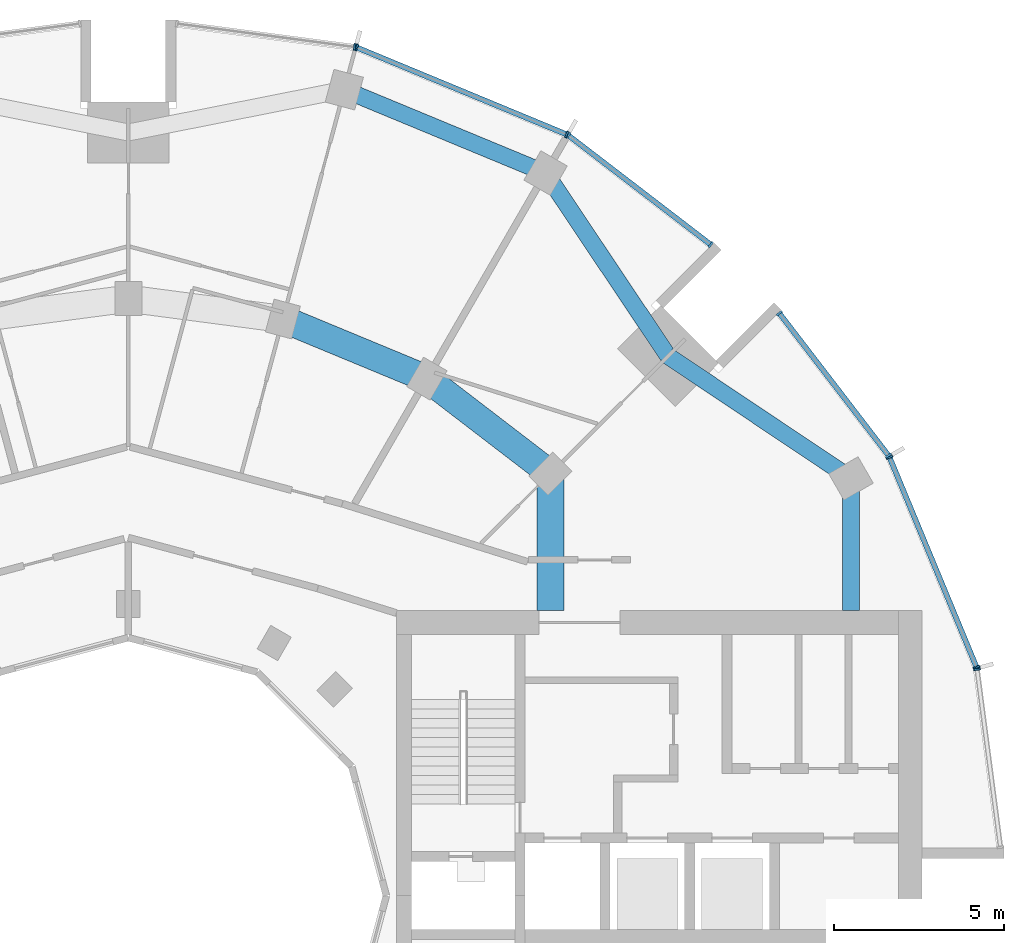
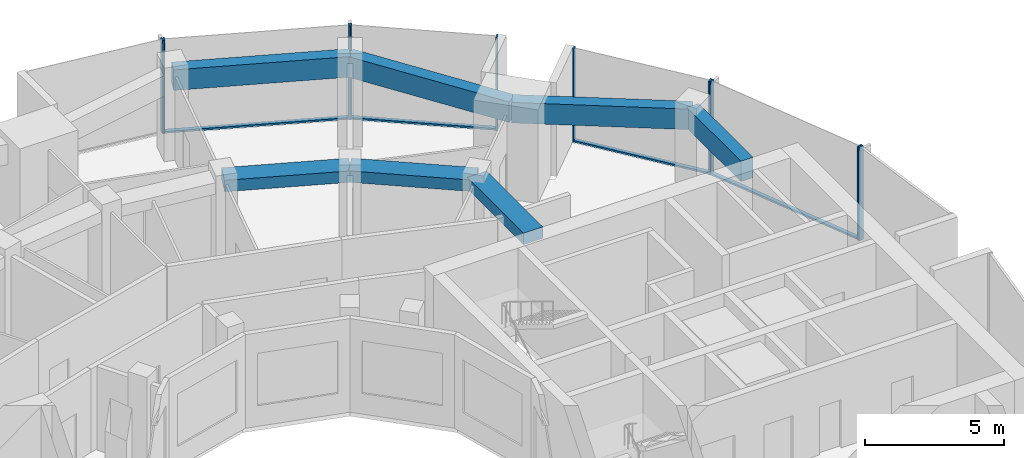
# One storey, part 6 of 15: 14 members, 7 beams, 6 elements without a shape of their own.
"""IFC4 building model written with IfcOpenShell, lengths in metres."""

from ifc_helpers import new_model, si_unit, direction, frame, origin, origin_2d, place, context, subcontext, project, spatial, rectangle, extrude, material, layer, layer_set, material_profile, profile_set, type_object, element, aggregate, save


model = new_model("IFC4")

# Units and contexts
model_context = context("Model", 3, precision=1e-05, world=origin(), true_north=direction((0.0, 1.0)))
body_context = subcontext(model_context, "Body", "Model", "MODEL_VIEW")
ifc_project = project(units=[si_unit("LENGTHUNIT", "METRE"), si_unit("AREAUNIT", "SQUARE_METRE"), si_unit("VOLUMEUNIT", "CUBIC_METRE"), si_unit("PLANEANGLEUNIT", "RADIAN"), si_unit("MASSUNIT", "GRAM", prefix="KILO")], contexts=[model_context])

# Site, building, storey
site_placement = place(None, origin())
site = spatial("IfcSite", under=ifc_project, at=site_placement, CompositionType="ELEMENT")
building_placement = place(site_placement, origin())
building = spatial("IfcBuilding", under=site, at=building_placement, Name="Torre Brocal", CompositionType="ELEMENT")
storey_placement = place(building_placement, frame((0.0, 0.0, 194.60009765625)))
storey = spatial("IfcBuildingStorey", under=building, at=storey_placement, Name="L45", CompositionType="ELEMENT", Elevation=194.60009765625)

# Curtain wall, members
ifc_material_1 = material(Name="Aluminium and glass", Category="aluminium")
ifc_layer_1 = layer(ifc_material_1, 0.199951171875)
ifc_layer_set_1 = layer_set([ifc_layer_1], Name="Aluminium and glass")
curtain_wall_type_1 = type_object("IfcCurtainWallType", Name="CW-1 CURTAIN WALL 4100 HIGH", PredefinedType="NOTDEFINED", material=ifc_layer_set_1)
curtain_wall_1_placement = place(storey_placement, origin())
curtain_wall_1 = element("IfcCurtainWall", 1, at=curtain_wall_1_placement, inside=storey, type_object=curtain_wall_type_1, Name="CW-1 RUN 2", PredefinedType="NOTDEFINED")
ifc_material_2 = material(Name="Aluminium, dark anodised", Category="aluminium")
ifc_material_profile_1 = material_profile(ifc_material_2, rectangle(XDim=0.199951171875, YDim=0.06005859375, at=origin_2d()), Name="CW-1 MULLION 60X200")
ifc_profile_set_1 = profile_set([ifc_material_profile_1], Name="Aluminium, dark anodised")
member_type_1 = type_object("IfcMemberType", Name="CW-1 MULLION 60X200", PredefinedType="MULLION", material=ifc_profile_set_1)
member_1_placement = place(storey_placement, frame((105.005126953125, 81.73095703125, 0.0), z_axis=(0.0, 0.0, 1.0), x_axis=(-0.923879532525, -0.382683432333, 0.0)))
member_1 = element("IfcMember", 2, at=member_1_placement, type_object=member_type_1, Name="CW1-4 mullion 1", PredefinedType="MULLION", context=body_context, shape_type="SweptSolid", body=[
    extrude(rectangle(XDim=0.199951171875, YDim=0.06005859375, at=origin_2d()), origin(), (0.0, 0.0, 1.0), 4.099853515625),
])
member_2_placement = place(storey_placement, frame((102.440673828125, 87.921875, 0.0), z_axis=(0.0, 0.0, 1.0), x_axis=(-0.923879532525, -0.382683432333, 0.0)))
member_2 = element("IfcMember", 3, at=member_2_placement, type_object=member_type_1, Name="CW1-4 mullion 2", PredefinedType="MULLION", context=body_context, shape_type="SweptSolid", body=[
    extrude(rectangle(XDim=0.199951171875, YDim=0.06005859375, at=origin_2d()), origin(), (0.0, 0.0, 1.0), 4.099853515625),
])

curtain_wall_2_placement = place(storey_placement, origin())
curtain_wall_2 = element("IfcCurtainWall", 4, at=curtain_wall_2_placement, inside=storey, type_object=curtain_wall_type_1, Name="CW-1 RUN 3", PredefinedType="NOTDEFINED")
member_3_placement = place(storey_placement, frame((102.4111328125, 87.973388671875, 0.0), z_axis=(0.0, 0.0, 1.0), x_axis=(-0.793353340259, -0.60876142905, 0.0)))
member_3 = element("IfcMember", 5, at=member_3_placement, type_object=member_type_1, Name="CW1-4 mullion 1", PredefinedType="MULLION", context=body_context, shape_type="SweptSolid", body=[
    extrude(rectangle(XDim=0.199951171875, YDim=0.06005859375, at=origin_2d()), origin(), (0.0, 0.0, 1.0), 4.099853515625),
])
member_4_placement = place(storey_placement, frame((99.19140625, 92.16943359375, 0.0), z_axis=(0.0, 0.0, 1.0), x_axis=(-0.793353340259, -0.60876142905, 0.0)))
member_4 = element("IfcMember", 6, at=member_4_placement, type_object=member_type_1, Name="CW1-4 mullion 2", PredefinedType="MULLION", context=body_context, shape_type="SweptSolid", body=[
    extrude(rectangle(XDim=0.199951171875, YDim=0.06005859375, at=origin_2d()), origin(), (0.0, 0.0, 1.0), 4.099853515625),
])

curtain_wall_3_placement = place(storey_placement, origin())
curtain_wall_3 = element("IfcCurtainWall", 7, at=curtain_wall_3_placement, inside=storey, type_object=curtain_wall_type_1, Name="CW-1 RUN 4", PredefinedType="NOTDEFINED")
member_5_placement = place(storey_placement, frame((97.16943359375, 94.19140625, 0.0), z_axis=(0.0, 0.0, 1.0), x_axis=(-0.60876142905, -0.793353340259, 0.0)))
member_5 = element("IfcMember", 8, at=member_5_placement, type_object=member_type_1, Name="CW1-4 mullion 1", PredefinedType="MULLION", context=body_context, shape_type="SweptSolid", body=[
    extrude(rectangle(XDim=0.199951171875, YDim=0.06005859375, at=origin_2d()), origin(), (0.0, 0.0, 1.0), 4.099853515625),
])
member_6_placement = place(storey_placement, frame((92.973388671875, 97.4111328125, 0.0), z_axis=(0.0, 0.0, 1.0), x_axis=(-0.60876142905, -0.793353340259, 0.0)))
member_6 = element("IfcMember", 9, at=member_6_placement, type_object=member_type_1, Name="CW1-4 mullion 2", PredefinedType="MULLION", context=body_context, shape_type="SweptSolid", body=[
    extrude(rectangle(XDim=0.199951171875, YDim=0.06005859375, at=origin_2d()), origin(), (0.0, 0.0, 1.0), 4.099853515625),
])

curtain_wall_4_placement = place(storey_placement, origin())
curtain_wall_4 = element("IfcCurtainWall", 10, at=curtain_wall_4_placement, inside=storey, type_object=curtain_wall_type_1, Name="CW-1 RUN 5", PredefinedType="NOTDEFINED")
member_7_placement = place(storey_placement, frame((92.921875, 97.440673828125, 0.0), z_axis=(0.0, 0.0, 1.0), x_axis=(-0.382683432333, -0.923879532525, 0.0)))
member_7 = element("IfcMember", 11, at=member_7_placement, type_object=member_type_1, Name="CW1-4 mullion 1", PredefinedType="MULLION", context=body_context, shape_type="SweptSolid", body=[
    extrude(rectangle(XDim=0.199951171875, YDim=0.06005859375, at=origin_2d()), origin(), (0.0, 0.0, 1.0), 4.099853515625),
])
member_8_placement = place(storey_placement, frame((86.73095703125, 100.005126953125, 0.0), z_axis=(0.0, 0.0, 1.0), x_axis=(-0.382683432333, -0.923879532525, 0.0)))
member_8 = element("IfcMember", 12, at=member_8_placement, type_object=member_type_1, Name="CW1-4 mullion 2", PredefinedType="MULLION", context=body_context, shape_type="SweptSolid", body=[
    extrude(rectangle(XDim=0.199951171875, YDim=0.06005859375, at=origin_2d()), origin(), (0.0, 0.0, 1.0), 4.099853515625),
])

# Curtain wall, member
curtain_wall_5_placement = place(storey_placement, origin())
curtain_wall_5 = element("IfcCurtainWall", 13, at=curtain_wall_5_placement, inside=storey, type_object=curtain_wall_type_1, Name="CW-1 RUN 6", PredefinedType="NOTDEFINED")
member_9_placement = place(storey_placement, frame((86.67333984375, 100.0205078125, 0.0), z_axis=(0.0, 0.0, 1.0), x_axis=(-0.13052619222, -0.991444861374, 0.0)))
member_9 = element("IfcMember", 14, at=member_9_placement, type_object=member_type_1, Name="CW1-4 mullion 1", PredefinedType="MULLION", context=body_context, shape_type="SweptSolid", body=[
    extrude(rectangle(XDim=0.199951171875, YDim=0.06005859375, at=origin_2d()), origin(), (0.0, 0.0, 1.0), 4.099853515625),
])
aggregate(curtain_wall_5, [member_9])

# Member
ifc_material_3 = material(Name="Aluminium, dark anodised", Category="aluminium")
ifc_material_profile_2 = material_profile(ifc_material_3, rectangle(XDim=0.159912109375, YDim=0.080078125, at=origin_2d()), Name="CW-1 TRANSOM 160X80")
ifc_profile_set_2 = profile_set([ifc_material_profile_2], Name="Aluminium, dark anodised")
member_type_2 = type_object("IfcMemberType", Name="CW-1 TRANSOM 160X80", PredefinedType="USERDEFINED", material=ifc_profile_set_2)
member_10_placement = place(storey_placement, frame((104.99365234375, 81.758544921875, 0.039794921875), z_axis=(-0.38266457234, 0.923887344364, 0.0), x_axis=(-0.923887344364, -0.38266457234, 0.0)))
member_10 = element("IfcMember", 15, at=member_10_placement, type_object=member_type_2, Name="CW1-4 transom 1.1", ObjectType="TRANSOM", PredefinedType="USERDEFINED", context=body_context, shape_type="SweptSolid", body=[
    extrude(rectangle(XDim=0.159912109375, YDim=0.080078125, at=origin_2d()), origin(), (0.0, 0.0, 1.0), 6.640869140625),
])

aggregate(curtain_wall_1, [member_1, member_2, member_10])

member_11_placement = place(storey_placement, frame((102.392822265625, 87.9970703125, 0.039794921875), z_axis=(-0.60874908096, 0.79336281513, 0.0), x_axis=(-0.79336281513, -0.60874908096, 0.0)))
member_11 = element("IfcMember", 16, at=member_11_placement, type_object=member_type_2, Name="CW1-4 transom 1.1", ObjectType="TRANSOM", PredefinedType="USERDEFINED", context=body_context, shape_type="SweptSolid", body=[
    extrude(rectangle(XDim=0.159912109375, YDim=0.080078125, at=origin_2d()), origin(), (0.0, 0.0, 1.0), 5.22900390625),
])

aggregate(curtain_wall_2, [member_3, member_4, member_11])

member_12_placement = place(storey_placement, frame((97.1455078125, 94.209716796875, 0.039794921875), z_axis=(-0.79336281513, 0.60874908096, 0.0), x_axis=(-0.60874908096, -0.79336281513, 0.0)))
member_12 = element("IfcMember", 17, at=member_12_placement, type_object=member_type_2, Name="CW1-4 transom 1.1", ObjectType="TRANSOM", PredefinedType="USERDEFINED", context=body_context, shape_type="SweptSolid", body=[
    extrude(rectangle(XDim=0.159912109375, YDim=0.080078125, at=origin_2d()), origin(), (0.0, 0.0, 1.0), 5.22900390625),
])

aggregate(curtain_wall_3, [member_5, member_6, member_12])

member_13_placement = place(storey_placement, frame((92.89404296875, 97.452392578125, 0.039794921875), z_axis=(-0.923887344364, 0.38266457234, 0.0), x_axis=(-0.38266457234, -0.923887344364, 0.0)))
member_13 = element("IfcMember", 18, at=member_13_placement, type_object=member_type_2, Name="CW1-4 transom 1.1", ObjectType="TRANSOM", PredefinedType="USERDEFINED", context=body_context, shape_type="SweptSolid", body=[
    extrude(rectangle(XDim=0.159912109375, YDim=0.080078125, at=origin_2d()), origin(), (0.0, 0.0, 1.0), 6.640869140625),
])

aggregate(curtain_wall_4, [member_7, member_8, member_13])

# Curtain wall, member
ifc_material_4 = material(Name="Aluminium and glass", Category="aluminium")
ifc_layer_2 = layer(ifc_material_4, 0.199951171875)
ifc_layer_set_2 = layer_set([ifc_layer_2], Name="Aluminium and glass")
curtain_wall_type_2 = type_object("IfcCurtainWallType", Name="CW-1B CURTAIN WALL 4100 HIGH", PredefinedType="NOTDEFINED", material=ifc_layer_set_2)
curtain_wall_6_placement = place(storey_placement, origin())
curtain_wall_6 = element("IfcCurtainWall", 19, at=curtain_wall_6_placement, inside=storey, type_object=curtain_wall_type_2, Name="CW-1B RUN 1", PredefinedType="NOTDEFINED")
ifc_material_5 = material(Name="Aluminium, dark anodised", Category="aluminium")
ifc_material_profile_3 = material_profile(ifc_material_5, rectangle(XDim=0.199951171875, YDim=0.06005859375, at=origin_2d()), Name="CW-1B MULLION 60X200")
ifc_profile_set_3 = profile_set([ifc_material_profile_3], Name="Aluminium, dark anodised")
member_type_3 = type_object("IfcMemberType", Name="CW-1B MULLION 60X200", PredefinedType="MULLION", material=ifc_profile_set_3)
member_14_placement = place(storey_placement, frame((105.0205078125, 81.67333984375, 0.0), z_axis=(0.0, 0.0, 1.0), x_axis=(-0.991444861374, -0.13052619222, 0.0)))
member_14 = element("IfcMember", 20, at=member_14_placement, type_object=member_type_3, Name="CW1B-4 mullion 2", PredefinedType="MULLION", context=body_context, shape_type="SweptSolid", body=[
    extrude(rectangle(XDim=0.199951171875, YDim=0.06005859375, at=origin_2d()), origin(), (0.0, 0.0, 1.0), 4.099853515625),
])
aggregate(curtain_wall_6, [member_14])

# Beams
ifc_material_6 = material(Name="Concrete C50", Category="concrete")
ifc_material_profile_4 = material_profile(ifc_material_6, rectangle(XDim=0.800048828125, YDim=0.5, at=origin_2d()), Name="RC 800X500")
ifc_profile_set_4 = profile_set([ifc_material_profile_4], Name="Concrete C50")
beam_type_1 = type_object("IfcBeamType", Name="RC BEAM 800X500 C50 TOP 3780", PredefinedType="BEAM", material=ifc_profile_set_4)
beam_1_placement = place(storey_placement, frame((92.445068359375, 87.445068359375, 3.52978515625), z_axis=(-0.793358265959, 0.6087550097, 0.0), x_axis=(-0.6087550097, -0.793358265959, 0.0)))
element("IfcBeam", 21, at=beam_1_placement, inside=storey, type_object=beam_type_1, Name="Beam BT-32", PredefinedType="BEAM", context=body_context, shape_type="SweptSolid", body=[
    extrude(rectangle(XDim=0.800048828125, YDim=0.5, at=origin_2d()), origin(), (0.0, 0.0, 1.0), 4.594482421875),
])
beam_2_placement = place(storey_placement, frame((88.800048828125, 90.241943359375, 3.52978515625), z_axis=(-0.923878240166, 0.382686552348, 0.0), x_axis=(-0.382686552348, -0.923878240166, 0.0)))
element("IfcBeam", 22, at=beam_2_placement, inside=storey, type_object=beam_type_1, Name="Beam BT-32", PredefinedType="BEAM", context=body_context, shape_type="SweptSolid", body=[
    extrude(rectangle(XDim=0.800048828125, YDim=0.5, at=origin_2d()), origin(), (0.0, 0.0, 1.0), 4.5947265625),
])
beam_3_placement = place(storey_placement, frame((92.445068359375, 87.445068359375, 3.52978515625), z_axis=(0.0, -1.0, 0.0), x_axis=(1.0, 0.0, 0.0)))
element("IfcBeam", 23, at=beam_3_placement, inside=storey, type_object=beam_type_1, Name="Beam BT-32", PredefinedType="BEAM", context=body_context, shape_type="SweptSolid", body=[
    extrude(rectangle(XDim=0.800048828125, YDim=0.5, at=origin_2d()), origin(), (0.0, 0.0, 1.0), 4.045166015625),
])
ifc_material_7 = material(Name="Concrete C50", Category="concrete")
ifc_material_profile_5 = material_profile(ifc_material_7, rectangle(XDim=0.5, YDim=0.89990234375, at=origin_2d()), Name="RC 500X900")
ifc_profile_set_5 = profile_set([ifc_material_profile_5], Name="Concrete C50")
beam_type_2 = type_object("IfcBeamType", Name="RC SPANDREL BEAM 500X900 C50 TOP 3780", PredefinedType="SPANDREL", material=ifc_profile_set_5)
for number, where, z_axis, x_axis, name in (
    (24, (101.30419921875, 87.300048828125, 3.329833984375), (-0.831076844476, 0.556157602282, 0.0), (-0.556157602282, -0.831076844476, 0.0), "Beam BT-33"),
    (25, (95.909912109375, 90.909912109375, 3.329833984375), (-0.556157602282, 0.831076844476, 0.0), (-0.831076844476, -0.556157602282, 0.0), "Beam BT-33"),
):
    element("IfcBeam", number, at=place(storey_placement, frame(where, z_axis=z_axis, x_axis=x_axis)), inside=storey, type_object=beam_type_2, Name=name, PredefinedType="SPANDREL", context=body_context, shape_type="SweptSolid", body=[
        extrude(rectangle(XDim=0.5, YDim=0.89990234375, at=origin_2d()), origin(), (0.0, 0.0, 1.0), 6.49072265625),
    ])
beam_4_placement = place(storey_placement, frame((92.300048828125, 96.30419921875, 3.329833984375), z_axis=(-0.923882462513, 0.382676358639, 0.0), x_axis=(-0.382676358639, -0.923882462513, 0.0)))
element("IfcBeam", 26, at=beam_4_placement, inside=storey, type_object=beam_type_2, Name="Beam BT-33", PredefinedType="SPANDREL", context=body_context, shape_type="SweptSolid", body=[
    extrude(rectangle(XDim=0.5, YDim=0.89990234375, at=origin_2d()), origin(), (0.0, 0.0, 1.0), 6.421875),
])
beam_5_placement = place(storey_placement, frame((101.30419921875, 87.300048828125, 3.329833984375), z_axis=(0.0, -1.0, 0.0), x_axis=(1.0, 0.0, 0.0)))
element("IfcBeam", 27, at=beam_5_placement, inside=storey, type_object=beam_type_2, Name="Beam BT-33", PredefinedType="SPANDREL", context=body_context, shape_type="SweptSolid", body=[
    extrude(rectangle(XDim=0.5, YDim=0.89990234375, at=origin_2d()), origin(), (0.0, 0.0, 1.0), 3.900146484375),
])

save(model, "model.ifc")
